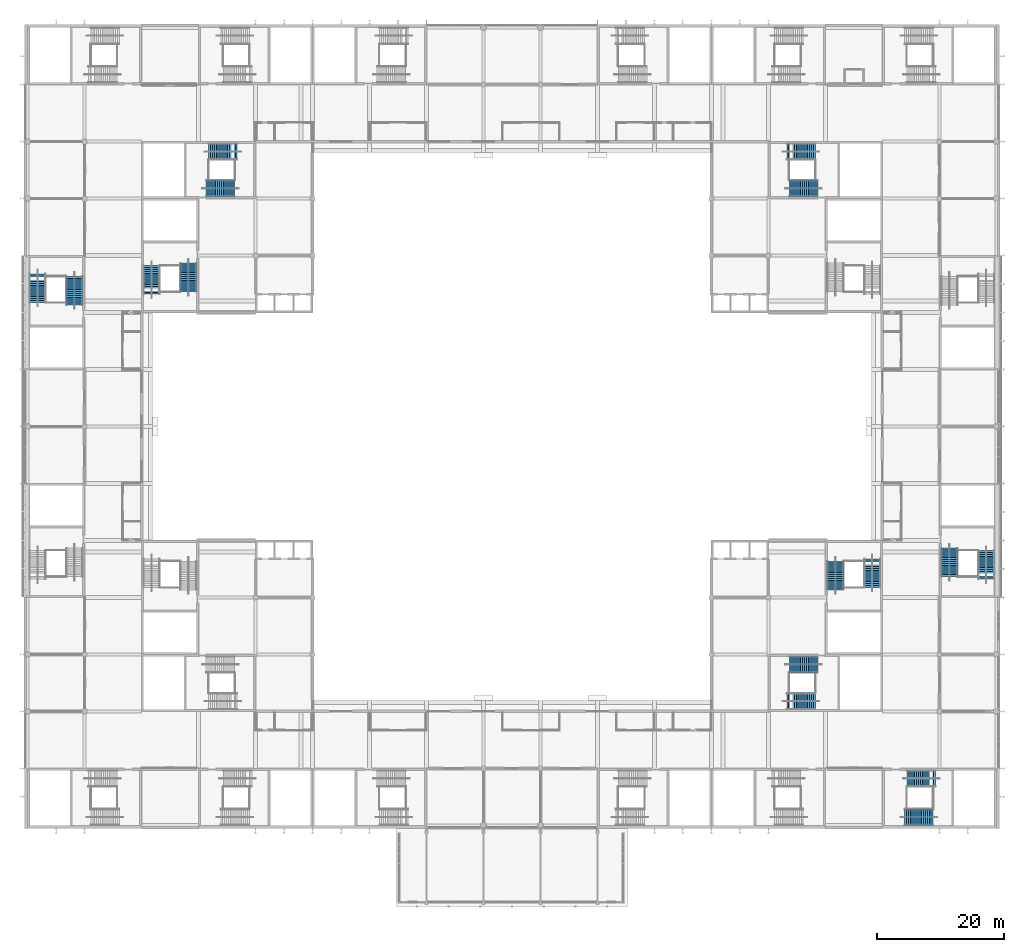
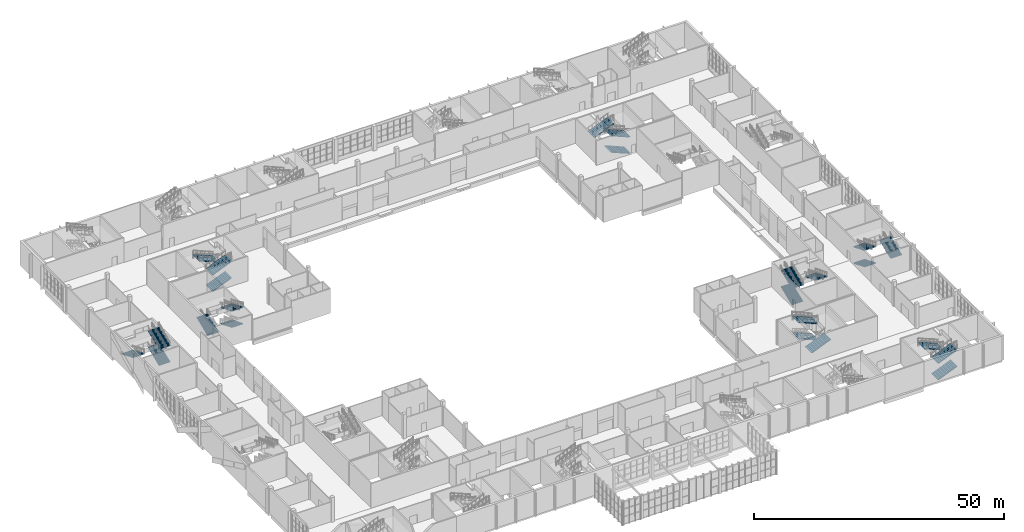
# One storey, part 51 of 89: 24 stair flights, 8 elements without a shape of their own.
"""IFC4 building model written with IfcOpenShell, lengths in metres."""

from ifc_helpers import new_model, si_unit, direction, frame, origin, place, context, subcontext, project, spatial, polyline, outline, extrude, material, type_object, element, aggregate, save


model = new_model("IFC4")

# Units and contexts
model_context = context("Model", 3, precision=1e-05, world=origin(), true_north=direction((0.0, 1.0)))
body_context = subcontext(model_context, "Body", "Model", "MODEL_VIEW")
ifc_project = project(units=[si_unit("LENGTHUNIT", "METRE"), si_unit("AREAUNIT", "SQUARE_METRE"), si_unit("VOLUMEUNIT", "CUBIC_METRE"), si_unit("PLANEANGLEUNIT", "RADIAN"), si_unit("MASSUNIT", "GRAM", prefix="KILO")], contexts=[model_context])

# Site, building, storey
site_placement = place(None, origin())
site = spatial("IfcSite", under=ifc_project, at=site_placement, CompositionType="ELEMENT")
building_placement = place(site_placement, origin())
building = spatial("IfcBuilding", under=site, at=building_placement, Name="Silverbay Arena", CompositionType="ELEMENT")
storey_placement = place(building_placement, frame((0.0, 0.0, 22.0)))
storey = spatial("IfcBuildingStorey", under=building, at=storey_placement, Name="L03", CompositionType="ELEMENT", Elevation=22.0)

# Stair, stair flights
ifc_material_1 = material(Name="Concrete Grade C45", Category="concrete")
stair_type = type_object("IfcStairType", Name="Stair 2600 wide 48 risers 125.0 x 300", PredefinedType="HALF_TURN_STAIR", material=ifc_material_1)
stair_1_placement = place(storey_placement, origin())
stair_1 = element("IfcStair", 1, at=stair_1_placement, inside=storey, type_object=stair_type, Name="Stair ST-S6 L03 to L04", PredefinedType="HALF_TURN_STAIR")
ifc_material_2 = material(Name="Concrete Grade C45", Category="concrete")
stair_flight_type = type_object("IfcStairFlightType", Name="Stair flight 2600 wide 16 risers 125.0 x 300", PredefinedType="STRAIGHT", material=ifc_material_2)
stair_flight_1_placement = place(storey_placement, frame((192.510009765625, 19.300048828125, 0.0), z_axis=(0.0, 0.0, 1.0), x_axis=(1.0, 0.0, 0.0)))
stair_flight_1 = element("IfcStairFlight", 2, at=stair_flight_1_placement, type_object=stair_flight_type, Name="Stair ST-S6 L03 to L04 flight 1", NumberOfRisers=16, NumberOfTreads=15, PredefinedType="STRAIGHT", RiserHeight=0.125, TreadLength=0.3, context=body_context, shape_type="SweptSolid", body=[
    extrude(outline(polyline([(0.0, 0.0), (0.0, 0.125), (0.300048828125, 0.125), (0.300048828125, 0.25), (0.60009765625, 0.25), (0.60009765625, 0.375), (0.89990234375, 0.375), (0.89990234375, 0.5), (1.199951171875, 0.5), (1.199951171875, 0.625), (1.5, 0.625), (1.5, 0.75), (1.800048828125, 0.75), (1.800048828125, 0.875), (2.10009765625, 0.875), (2.10009765625, 1.0), (2.39990234375, 1.0), (2.39990234375, 1.125), (2.699951171875, 1.125), (2.699951171875, 1.25), (3.0, 1.25), (3.0, 1.375), (3.300048828125, 1.375), (3.300048828125, 1.5), (3.60009765625, 1.5), (3.60009765625, 1.625), (3.89990234375, 1.625), (3.89990234375, 1.75), (4.199951171875, 1.75), (4.199951171875, 1.875), (4.5, 1.875), (4.5, 1.712646484375), (0.3896484375, 0.0), (0.0, 0.0)])), frame((0.0, 1.300048828125, 0.0), z_axis=(0.0, -1.0, 0.0), x_axis=(1.0, 0.0, 0.0)), (0.0, 0.0, 1.0), 2.60009765625),
])
stair_flight_2_placement = place(storey_placement, frame((197.39990234375, 25.39990234375, 2.0), z_axis=(0.0, 0.0, 1.0), x_axis=(-1.0, 0.0, 0.0)))
stair_flight_2 = element("IfcStairFlight", 3, at=stair_flight_2_placement, type_object=stair_flight_type, Name="Stair ST-S6 L03 to L04 flight 2", NumberOfRisers=16, NumberOfTreads=15, PredefinedType="STRAIGHT", RiserHeight=0.125, TreadLength=0.3, context=body_context, shape_type="SweptSolid", body=[
    extrude(outline(polyline([(0.0, 0.0), (0.0, 0.125), (0.300048828125, 0.125), (0.300048828125, 0.25), (0.60009765625, 0.25), (0.60009765625, 0.375), (0.89990234375, 0.375), (0.89990234375, 0.5), (1.199951171875, 0.5), (1.199951171875, 0.625), (1.5, 0.625), (1.5, 0.75), (1.800048828125, 0.75), (1.800048828125, 0.875), (2.10009765625, 0.875), (2.10009765625, 1.0), (2.39990234375, 1.0), (2.39990234375, 1.125), (2.699951171875, 1.125), (2.699951171875, 1.25), (3.0, 1.25), (3.0, 1.375), (3.300048828125, 1.375), (3.300048828125, 1.5), (3.60009765625, 1.5), (3.60009765625, 1.625), (3.89990234375, 1.625), (3.89990234375, 1.75), (4.199951171875, 1.75), (4.199951171875, 1.875), (4.5, 1.875), (4.5, 1.712646484375), (0.3896484375, 0.0), (0.0, 0.0)])), frame((0.0, 1.300048828125, 0.0), z_axis=(0.0, -1.0, 0.0), x_axis=(1.0, 0.0, 0.0)), (0.0, 0.0, 1.0), 2.60009765625),
])
stair_flight_3_placement = place(storey_placement, frame((192.510009765625, 19.300048828125, 4.0), z_axis=(0.0, 0.0, 1.0), x_axis=(1.0, 0.0, 0.0)))
stair_flight_3 = element("IfcStairFlight", 4, at=stair_flight_3_placement, type_object=stair_flight_type, Name="Stair ST-S6 L03 to L04 flight 3", NumberOfRisers=16, NumberOfTreads=15, PredefinedType="STRAIGHT", RiserHeight=0.125, TreadLength=0.3, context=body_context, shape_type="SweptSolid", body=[
    extrude(outline(polyline([(0.0, 0.0), (0.0, 0.125), (0.300048828125, 0.125), (0.300048828125, 0.25), (0.60009765625, 0.25), (0.60009765625, 0.375), (0.89990234375, 0.375), (0.89990234375, 0.5), (1.199951171875, 0.5), (1.199951171875, 0.625), (1.5, 0.625), (1.5, 0.75), (1.800048828125, 0.75), (1.800048828125, 0.875), (2.10009765625, 0.875), (2.10009765625, 1.0), (2.39990234375, 1.0), (2.39990234375, 1.125), (2.699951171875, 1.125), (2.699951171875, 1.25), (3.0, 1.25), (3.0, 1.375), (3.300048828125, 1.375), (3.300048828125, 1.5), (3.60009765625, 1.5), (3.60009765625, 1.625), (3.89990234375, 1.625), (3.89990234375, 1.75), (4.199951171875, 1.75), (4.199951171875, 1.875), (4.5, 1.875), (4.5, 1.712646484375), (0.3896484375, 0.0), (0.0, 0.0)])), frame((0.0, 1.300048828125, 0.0), z_axis=(0.0, -1.0, 0.0), x_axis=(1.0, 0.0, 0.0)), (0.0, 0.0, 1.0), 2.60009765625),
])
aggregate(stair_1, [stair_flight_1, stair_flight_2, stair_flight_3])

stair_2_placement = place(storey_placement, origin())
stair_2 = element("IfcStair", 5, at=stair_2_placement, inside=storey, type_object=stair_type, Name="Stair ST-W2 L03 to L04", PredefinedType="HALF_TURN_STAIR")
stair_flight_4_placement = place(storey_placement, frame((61.39990234375, 100.2099609375, 0.0), z_axis=(0.0, 0.0, 1.0), x_axis=(0.0, 1.0, 0.0)))
stair_flight_4 = element("IfcStairFlight", 6, at=stair_flight_4_placement, type_object=stair_flight_type, Name="Stair ST-W2 L03 to L04 flight 1", NumberOfRisers=16, NumberOfTreads=15, PredefinedType="STRAIGHT", RiserHeight=0.125, TreadLength=0.3, context=body_context, shape_type="SweptSolid", body=[
    extrude(outline(polyline([(0.0, 0.0), (0.0, 0.125), (0.300048828125, 0.125), (0.300048828125, 0.25), (0.60009765625, 0.25), (0.60009765625, 0.375), (0.89990234375, 0.375), (0.89990234375, 0.5), (1.199951171875, 0.5), (1.199951171875, 0.625), (1.5, 0.625), (1.5, 0.75), (1.800048828125, 0.75), (1.800048828125, 0.875), (2.10009765625, 0.875), (2.10009765625, 1.0), (2.39990234375, 1.0), (2.39990234375, 1.125), (2.699951171875, 1.125), (2.699951171875, 1.25), (3.0, 1.25), (3.0, 1.375), (3.300048828125, 1.375), (3.300048828125, 1.5), (3.60009765625, 1.5), (3.60009765625, 1.625), (3.89990234375, 1.625), (3.89990234375, 1.75), (4.199951171875, 1.75), (4.199951171875, 1.875), (4.5, 1.875), (4.5, 1.712646484375), (0.3896484375, 0.0), (0.0, 0.0)])), frame((0.0, 1.300048828125, 0.0), z_axis=(0.0, -1.0, 0.0), x_axis=(1.0, 0.0, 0.0)), (0.0, 0.0, 1.0), 2.60009765625),
])
stair_flight_5_placement = place(storey_placement, frame((55.60009765625, 105.10009765625, 2.0), z_axis=(0.0, 0.0, 1.0), x_axis=(0.0, -1.0, 0.0)))
stair_flight_5 = element("IfcStairFlight", 7, at=stair_flight_5_placement, type_object=stair_flight_type, Name="Stair ST-W2 L03 to L04 flight 2", NumberOfRisers=16, NumberOfTreads=15, PredefinedType="STRAIGHT", RiserHeight=0.125, TreadLength=0.3, context=body_context, shape_type="SweptSolid", body=[
    extrude(outline(polyline([(0.0, 0.0), (0.0, 0.125), (0.300048828125, 0.125), (0.300048828125, 0.25), (0.60009765625, 0.25), (0.60009765625, 0.375), (0.89990234375, 0.375), (0.89990234375, 0.5), (1.199951171875, 0.5), (1.199951171875, 0.625), (1.5, 0.625), (1.5, 0.75), (1.800048828125, 0.75), (1.800048828125, 0.875), (2.10009765625, 0.875), (2.10009765625, 1.0), (2.39990234375, 1.0), (2.39990234375, 1.125), (2.699951171875, 1.125), (2.699951171875, 1.25), (3.0, 1.25), (3.0, 1.375), (3.300048828125, 1.375), (3.300048828125, 1.5), (3.60009765625, 1.5), (3.60009765625, 1.625), (3.89990234375, 1.625), (3.89990234375, 1.75), (4.199951171875, 1.75), (4.199951171875, 1.875), (4.5, 1.875), (4.5, 1.712646484375), (0.3896484375, 0.0), (0.0, 0.0)])), frame((0.0, 1.300048828125, 0.0), z_axis=(0.0, -1.0, 0.0), x_axis=(1.0, 0.0, 0.0)), (0.0, 0.0, 1.0), 2.60009765625),
])
stair_flight_6_placement = place(storey_placement, frame((61.39990234375, 100.2099609375, 4.0), z_axis=(0.0, 0.0, 1.0), x_axis=(0.0, 1.0, 0.0)))
stair_flight_6 = element("IfcStairFlight", 8, at=stair_flight_6_placement, type_object=stair_flight_type, Name="Stair ST-W2 L03 to L04 flight 3", NumberOfRisers=16, NumberOfTreads=15, PredefinedType="STRAIGHT", RiserHeight=0.125, TreadLength=0.3, context=body_context, shape_type="SweptSolid", body=[
    extrude(outline(polyline([(0.0, 0.0), (0.0, 0.125), (0.300048828125, 0.125), (0.300048828125, 0.25), (0.60009765625, 0.25), (0.60009765625, 0.375), (0.89990234375, 0.375), (0.89990234375, 0.5), (1.199951171875, 0.5), (1.199951171875, 0.625), (1.5, 0.625), (1.5, 0.75), (1.800048828125, 0.75), (1.800048828125, 0.875), (2.10009765625, 0.875), (2.10009765625, 1.0), (2.39990234375, 1.0), (2.39990234375, 1.125), (2.699951171875, 1.125), (2.699951171875, 1.25), (3.0, 1.25), (3.0, 1.375), (3.300048828125, 1.375), (3.300048828125, 1.5), (3.60009765625, 1.5), (3.60009765625, 1.625), (3.89990234375, 1.625), (3.89990234375, 1.75), (4.199951171875, 1.75), (4.199951171875, 1.875), (4.5, 1.875), (4.5, 1.712646484375), (0.3896484375, 0.0), (0.0, 0.0)])), frame((0.0, 1.300048828125, 0.0), z_axis=(0.0, -1.0, 0.0), x_axis=(1.0, 0.0, 0.0)), (0.0, 0.0, 1.0), 2.60009765625),
])
aggregate(stair_2, [stair_flight_4, stair_flight_5, stair_flight_6])

stair_3_placement = place(storey_placement, origin())
stair_3 = element("IfcStair", 9, at=stair_3_placement, inside=storey, type_object=stair_type, Name="Stair ST-E1 L03 to L04", PredefinedType="HALF_TURN_STAIR")
stair_flight_7_placement = place(storey_placement, frame((199.60009765625, 61.7900390625, 0.0), z_axis=(0.0, 0.0, 1.0), x_axis=(0.0, -1.0, 0.0)))
stair_flight_7 = element("IfcStairFlight", 10, at=stair_flight_7_placement, type_object=stair_flight_type, Name="Stair ST-E1 L03 to L04 flight 1", NumberOfRisers=16, NumberOfTreads=15, PredefinedType="STRAIGHT", RiserHeight=0.125, TreadLength=0.3, context=body_context, shape_type="SweptSolid", body=[
    extrude(outline(polyline([(0.0, 0.0), (0.0, 0.125), (0.300048828125, 0.125), (0.300048828125, 0.25), (0.60009765625, 0.25), (0.60009765625, 0.375), (0.89990234375, 0.375), (0.89990234375, 0.5), (1.199951171875, 0.5), (1.199951171875, 0.625), (1.5, 0.625), (1.5, 0.75), (1.800048828125, 0.75), (1.800048828125, 0.875), (2.10009765625, 0.875), (2.10009765625, 1.0), (2.39990234375, 1.0), (2.39990234375, 1.125), (2.699951171875, 1.125), (2.699951171875, 1.25), (3.0, 1.25), (3.0, 1.375), (3.300048828125, 1.375), (3.300048828125, 1.5), (3.60009765625, 1.5), (3.60009765625, 1.625), (3.89990234375, 1.625), (3.89990234375, 1.75), (4.199951171875, 1.75), (4.199951171875, 1.875), (4.5, 1.875), (4.5, 1.712646484375), (0.3896484375, 0.0), (0.0, 0.0)])), frame((0.0, 1.300048828125, 0.0), z_axis=(0.0, -1.0, 0.0), x_axis=(1.0, 0.0, 0.0)), (0.0, 0.0, 1.0), 2.60009765625),
])
stair_flight_8_placement = place(storey_placement, frame((205.39990234375, 56.89990234375, 2.0), z_axis=(0.0, 0.0, 1.0), x_axis=(0.0, 1.0, 0.0)))
stair_flight_8 = element("IfcStairFlight", 11, at=stair_flight_8_placement, type_object=stair_flight_type, Name="Stair ST-E1 L03 to L04 flight 2", NumberOfRisers=16, NumberOfTreads=15, PredefinedType="STRAIGHT", RiserHeight=0.125, TreadLength=0.3, context=body_context, shape_type="SweptSolid", body=[
    extrude(outline(polyline([(0.0, 0.0), (0.0, 0.125), (0.300048828125, 0.125), (0.300048828125, 0.25), (0.60009765625, 0.25), (0.60009765625, 0.375), (0.89990234375, 0.375), (0.89990234375, 0.5), (1.199951171875, 0.5), (1.199951171875, 0.625), (1.5, 0.625), (1.5, 0.75), (1.800048828125, 0.75), (1.800048828125, 0.875), (2.10009765625, 0.875), (2.10009765625, 1.0), (2.39990234375, 1.0), (2.39990234375, 1.125), (2.699951171875, 1.125), (2.699951171875, 1.25), (3.0, 1.25), (3.0, 1.375), (3.300048828125, 1.375), (3.300048828125, 1.5), (3.60009765625, 1.5), (3.60009765625, 1.625), (3.89990234375, 1.625), (3.89990234375, 1.75), (4.199951171875, 1.75), (4.199951171875, 1.875), (4.5, 1.875), (4.5, 1.712646484375), (0.3896484375, 0.0), (0.0, 0.0)])), frame((0.0, 1.300048828125, 0.0), z_axis=(0.0, -1.0, 0.0), x_axis=(1.0, 0.0, 0.0)), (0.0, 0.0, 1.0), 2.60009765625),
])
stair_flight_9_placement = place(storey_placement, frame((199.60009765625, 61.7900390625, 4.0), z_axis=(0.0, 0.0, 1.0), x_axis=(0.0, -1.0, 0.0)))
stair_flight_9 = element("IfcStairFlight", 12, at=stair_flight_9_placement, type_object=stair_flight_type, Name="Stair ST-E1 L03 to L04 flight 3", NumberOfRisers=16, NumberOfTreads=15, PredefinedType="STRAIGHT", RiserHeight=0.125, TreadLength=0.3, context=body_context, shape_type="SweptSolid", body=[
    extrude(outline(polyline([(0.0, 0.0), (0.0, 0.125), (0.300048828125, 0.125), (0.300048828125, 0.25), (0.60009765625, 0.25), (0.60009765625, 0.375), (0.89990234375, 0.375), (0.89990234375, 0.5), (1.199951171875, 0.5), (1.199951171875, 0.625), (1.5, 0.625), (1.5, 0.75), (1.800048828125, 0.75), (1.800048828125, 0.875), (2.10009765625, 0.875), (2.10009765625, 1.0), (2.39990234375, 1.0), (2.39990234375, 1.125), (2.699951171875, 1.125), (2.699951171875, 1.25), (3.0, 1.25), (3.0, 1.375), (3.300048828125, 1.375), (3.300048828125, 1.5), (3.60009765625, 1.5), (3.60009765625, 1.625), (3.89990234375, 1.625), (3.89990234375, 1.75), (4.199951171875, 1.75), (4.199951171875, 1.875), (4.5, 1.875), (4.5, 1.712646484375), (0.3896484375, 0.0), (0.0, 0.0)])), frame((0.0, 1.300048828125, 0.0), z_axis=(0.0, -1.0, 0.0), x_axis=(1.0, 0.0, 0.0)), (0.0, 0.0, 1.0), 2.60009765625),
])
aggregate(stair_3, [stair_flight_7, stair_flight_8, stair_flight_9])

stair_4_placement = place(storey_placement, origin())
stair_4 = element("IfcStair", 13, at=stair_4_placement, inside=storey, type_object=stair_type, Name="Stair ST-SE1 L03 to L04", PredefinedType="HALF_TURN_STAIR")
stair_flight_10_placement = place(storey_placement, frame((178.7900390625, 43.39990234375, 0.0), z_axis=(0.0, 0.0, 1.0), x_axis=(-1.0, 0.0, 0.0)))
stair_flight_10 = element("IfcStairFlight", 14, at=stair_flight_10_placement, type_object=stair_flight_type, Name="Stair ST-SE1 L03 to L04 flight 1", NumberOfRisers=16, NumberOfTreads=15, PredefinedType="STRAIGHT", RiserHeight=0.125, TreadLength=0.3, context=body_context, shape_type="SweptSolid", body=[
    extrude(outline(polyline([(0.0, 0.0), (0.0, 0.125), (0.300048828125, 0.125), (0.300048828125, 0.25), (0.60009765625, 0.25), (0.60009765625, 0.375), (0.89990234375, 0.375), (0.89990234375, 0.5), (1.199951171875, 0.5), (1.199951171875, 0.625), (1.5, 0.625), (1.5, 0.75), (1.800048828125, 0.75), (1.800048828125, 0.875), (2.10009765625, 0.875), (2.10009765625, 1.0), (2.39990234375, 1.0), (2.39990234375, 1.125), (2.699951171875, 1.125), (2.699951171875, 1.25), (3.0, 1.25), (3.0, 1.375), (3.300048828125, 1.375), (3.300048828125, 1.5), (3.60009765625, 1.5), (3.60009765625, 1.625), (3.89990234375, 1.625), (3.89990234375, 1.75), (4.199951171875, 1.75), (4.199951171875, 1.875), (4.5, 1.875), (4.5, 1.712646484375), (0.3896484375, 0.0), (0.0, 0.0)])), frame((0.0, 1.300048828125, 0.0), z_axis=(0.0, -1.0, 0.0), x_axis=(1.0, 0.0, 0.0)), (0.0, 0.0, 1.0), 2.60009765625),
])
stair_flight_11_placement = place(storey_placement, frame((173.89990234375, 37.60009765625, 2.0), z_axis=(0.0, 0.0, 1.0), x_axis=(1.0, 0.0, 0.0)))
stair_flight_11 = element("IfcStairFlight", 15, at=stair_flight_11_placement, type_object=stair_flight_type, Name="Stair ST-SE1 L03 to L04 flight 2", NumberOfRisers=16, NumberOfTreads=15, PredefinedType="STRAIGHT", RiserHeight=0.125, TreadLength=0.3, context=body_context, shape_type="SweptSolid", body=[
    extrude(outline(polyline([(0.0, 0.0), (0.0, 0.125), (0.300048828125, 0.125), (0.300048828125, 0.25), (0.60009765625, 0.25), (0.60009765625, 0.375), (0.89990234375, 0.375), (0.89990234375, 0.5), (1.199951171875, 0.5), (1.199951171875, 0.625), (1.5, 0.625), (1.5, 0.75), (1.800048828125, 0.75), (1.800048828125, 0.875), (2.10009765625, 0.875), (2.10009765625, 1.0), (2.39990234375, 1.0), (2.39990234375, 1.125), (2.699951171875, 1.125), (2.699951171875, 1.25), (3.0, 1.25), (3.0, 1.375), (3.300048828125, 1.375), (3.300048828125, 1.5), (3.60009765625, 1.5), (3.60009765625, 1.625), (3.89990234375, 1.625), (3.89990234375, 1.75), (4.199951171875, 1.75), (4.199951171875, 1.875), (4.5, 1.875), (4.5, 1.712646484375), (0.3896484375, 0.0), (0.0, 0.0)])), frame((0.0, 1.300048828125, 0.0), z_axis=(0.0, -1.0, 0.0), x_axis=(1.0, 0.0, 0.0)), (0.0, 0.0, 1.0), 2.60009765625),
])
stair_flight_12_placement = place(storey_placement, frame((178.7900390625, 43.39990234375, 4.0), z_axis=(0.0, 0.0, 1.0), x_axis=(-1.0, 0.0, 0.0)))
stair_flight_12 = element("IfcStairFlight", 16, at=stair_flight_12_placement, type_object=stair_flight_type, Name="Stair ST-SE1 L03 to L04 flight 3", NumberOfRisers=16, NumberOfTreads=15, PredefinedType="STRAIGHT", RiserHeight=0.125, TreadLength=0.3, context=body_context, shape_type="SweptSolid", body=[
    extrude(outline(polyline([(0.0, 0.0), (0.0, 0.125), (0.300048828125, 0.125), (0.300048828125, 0.25), (0.60009765625, 0.25), (0.60009765625, 0.375), (0.89990234375, 0.375), (0.89990234375, 0.5), (1.199951171875, 0.5), (1.199951171875, 0.625), (1.5, 0.625), (1.5, 0.75), (1.800048828125, 0.75), (1.800048828125, 0.875), (2.10009765625, 0.875), (2.10009765625, 1.0), (2.39990234375, 1.0), (2.39990234375, 1.125), (2.699951171875, 1.125), (2.699951171875, 1.25), (3.0, 1.25), (3.0, 1.375), (3.300048828125, 1.375), (3.300048828125, 1.5), (3.60009765625, 1.5), (3.60009765625, 1.625), (3.89990234375, 1.625), (3.89990234375, 1.75), (4.199951171875, 1.75), (4.199951171875, 1.875), (4.5, 1.875), (4.5, 1.712646484375), (0.3896484375, 0.0), (0.0, 0.0)])), frame((0.0, 1.300048828125, 0.0), z_axis=(0.0, -1.0, 0.0), x_axis=(1.0, 0.0, 0.0)), (0.0, 0.0, 1.0), 2.60009765625),
])
aggregate(stair_4, [stair_flight_10, stair_flight_11, stair_flight_12])

stair_5_placement = place(storey_placement, origin())
stair_5 = element("IfcStair", 17, at=stair_5_placement, inside=storey, type_object=stair_type, Name="Stair ST-SE2 L03 to L04", PredefinedType="HALF_TURN_STAIR")
stair_flight_13_placement = place(storey_placement, frame((181.60009765625, 55.2099609375, 0.0), z_axis=(0.0, 0.0, 1.0), x_axis=(0.0, 1.0, 0.0)))
stair_flight_13 = element("IfcStairFlight", 18, at=stair_flight_13_placement, type_object=stair_flight_type, Name="Stair ST-SE2 L03 to L04 flight 1", NumberOfRisers=16, NumberOfTreads=15, PredefinedType="STRAIGHT", RiserHeight=0.125, TreadLength=0.3, context=body_context, shape_type="SweptSolid", body=[
    extrude(outline(polyline([(0.0, 0.0), (0.0, 0.125), (0.300048828125, 0.125), (0.300048828125, 0.25), (0.60009765625, 0.25), (0.60009765625, 0.375), (0.89990234375, 0.375), (0.89990234375, 0.5), (1.199951171875, 0.5), (1.199951171875, 0.625), (1.5, 0.625), (1.5, 0.75), (1.800048828125, 0.75), (1.800048828125, 0.875), (2.10009765625, 0.875), (2.10009765625, 1.0), (2.39990234375, 1.0), (2.39990234375, 1.125), (2.699951171875, 1.125), (2.699951171875, 1.25), (3.0, 1.25), (3.0, 1.375), (3.300048828125, 1.375), (3.300048828125, 1.5), (3.60009765625, 1.5), (3.60009765625, 1.625), (3.89990234375, 1.625), (3.89990234375, 1.75), (4.199951171875, 1.75), (4.199951171875, 1.875), (4.5, 1.875), (4.5, 1.712646484375), (0.3896484375, 0.0), (0.0, 0.0)])), frame((0.0, 1.300048828125, 0.0), z_axis=(0.0, -1.0, 0.0), x_axis=(1.0, 0.0, 0.0)), (0.0, 0.0, 1.0), 2.60009765625),
])
stair_flight_14_placement = place(storey_placement, frame((187.39990234375, 60.10009765625, 2.0), z_axis=(0.0, 0.0, 1.0), x_axis=(0.0, -1.0, 0.0)))
stair_flight_14 = element("IfcStairFlight", 19, at=stair_flight_14_placement, type_object=stair_flight_type, Name="Stair ST-SE2 L03 to L04 flight 2", NumberOfRisers=16, NumberOfTreads=15, PredefinedType="STRAIGHT", RiserHeight=0.125, TreadLength=0.3, context=body_context, shape_type="SweptSolid", body=[
    extrude(outline(polyline([(0.0, 0.0), (0.0, 0.125), (0.300048828125, 0.125), (0.300048828125, 0.25), (0.60009765625, 0.25), (0.60009765625, 0.375), (0.89990234375, 0.375), (0.89990234375, 0.5), (1.199951171875, 0.5), (1.199951171875, 0.625), (1.5, 0.625), (1.5, 0.75), (1.800048828125, 0.75), (1.800048828125, 0.875), (2.10009765625, 0.875), (2.10009765625, 1.0), (2.39990234375, 1.0), (2.39990234375, 1.125), (2.699951171875, 1.125), (2.699951171875, 1.25), (3.0, 1.25), (3.0, 1.375), (3.300048828125, 1.375), (3.300048828125, 1.5), (3.60009765625, 1.5), (3.60009765625, 1.625), (3.89990234375, 1.625), (3.89990234375, 1.75), (4.199951171875, 1.75), (4.199951171875, 1.875), (4.5, 1.875), (4.5, 1.712646484375), (0.3896484375, 0.0), (0.0, 0.0)])), frame((0.0, 1.300048828125, 0.0), z_axis=(0.0, -1.0, 0.0), x_axis=(1.0, 0.0, 0.0)), (0.0, 0.0, 1.0), 2.60009765625),
])
stair_flight_15_placement = place(storey_placement, frame((181.60009765625, 55.2099609375, 4.0), z_axis=(0.0, 0.0, 1.0), x_axis=(0.0, 1.0, 0.0)))
stair_flight_15 = element("IfcStairFlight", 20, at=stair_flight_15_placement, type_object=stair_flight_type, Name="Stair ST-SE2 L03 to L04 flight 3", NumberOfRisers=16, NumberOfTreads=15, PredefinedType="STRAIGHT", RiserHeight=0.125, TreadLength=0.3, context=body_context, shape_type="SweptSolid", body=[
    extrude(outline(polyline([(0.0, 0.0), (0.0, 0.125), (0.300048828125, 0.125), (0.300048828125, 0.25), (0.60009765625, 0.25), (0.60009765625, 0.375), (0.89990234375, 0.375), (0.89990234375, 0.5), (1.199951171875, 0.5), (1.199951171875, 0.625), (1.5, 0.625), (1.5, 0.75), (1.800048828125, 0.75), (1.800048828125, 0.875), (2.10009765625, 0.875), (2.10009765625, 1.0), (2.39990234375, 1.0), (2.39990234375, 1.125), (2.699951171875, 1.125), (2.699951171875, 1.25), (3.0, 1.25), (3.0, 1.375), (3.300048828125, 1.375), (3.300048828125, 1.5), (3.60009765625, 1.5), (3.60009765625, 1.625), (3.89990234375, 1.625), (3.89990234375, 1.75), (4.199951171875, 1.75), (4.199951171875, 1.875), (4.5, 1.875), (4.5, 1.712646484375), (0.3896484375, 0.0), (0.0, 0.0)])), frame((0.0, 1.300048828125, 0.0), z_axis=(0.0, -1.0, 0.0), x_axis=(1.0, 0.0, 0.0)), (0.0, 0.0, 1.0), 2.60009765625),
])
aggregate(stair_5, [stair_flight_13, stair_flight_14, stair_flight_15])

stair_6_placement = place(storey_placement, origin())
stair_6 = element("IfcStair", 21, at=stair_6_placement, inside=storey, type_object=stair_type, Name="Stair ST-NW1 L03 to L04", PredefinedType="HALF_TURN_STAIR")
stair_flight_16_placement = place(storey_placement, frame((82.2099609375, 118.60009765625, 0.0), z_axis=(0.0, 0.0, 1.0), x_axis=(1.0, 0.0, 0.0)))
stair_flight_16 = element("IfcStairFlight", 22, at=stair_flight_16_placement, type_object=stair_flight_type, Name="Stair ST-NW1 L03 to L04 flight 1", NumberOfRisers=16, NumberOfTreads=15, PredefinedType="STRAIGHT", RiserHeight=0.125, TreadLength=0.3, context=body_context, shape_type="SweptSolid", body=[
    extrude(outline(polyline([(0.0, 0.0), (0.0, 0.125), (0.300048828125, 0.125), (0.300048828125, 0.25), (0.60009765625, 0.25), (0.60009765625, 0.375), (0.89990234375, 0.375), (0.89990234375, 0.5), (1.199951171875, 0.5), (1.199951171875, 0.625), (1.5, 0.625), (1.5, 0.75), (1.800048828125, 0.75), (1.800048828125, 0.875), (2.10009765625, 0.875), (2.10009765625, 1.0), (2.39990234375, 1.0), (2.39990234375, 1.125), (2.699951171875, 1.125), (2.699951171875, 1.25), (3.0, 1.25), (3.0, 1.375), (3.300048828125, 1.375), (3.300048828125, 1.5), (3.60009765625, 1.5), (3.60009765625, 1.625), (3.89990234375, 1.625), (3.89990234375, 1.75), (4.199951171875, 1.75), (4.199951171875, 1.875), (4.5, 1.875), (4.5, 1.712646484375), (0.3896484375, 0.0), (0.0, 0.0)])), frame((0.0, 1.300048828125, 0.0), z_axis=(0.0, -1.0, 0.0), x_axis=(1.0, 0.0, 0.0)), (0.0, 0.0, 1.0), 2.60009765625),
])
stair_flight_17_placement = place(storey_placement, frame((87.10009765625, 124.39990234375, 2.0), z_axis=(0.0, 0.0, 1.0), x_axis=(-1.0, 0.0, 0.0)))
stair_flight_17 = element("IfcStairFlight", 23, at=stair_flight_17_placement, type_object=stair_flight_type, Name="Stair ST-NW1 L03 to L04 flight 2", NumberOfRisers=16, NumberOfTreads=15, PredefinedType="STRAIGHT", RiserHeight=0.125, TreadLength=0.3, context=body_context, shape_type="SweptSolid", body=[
    extrude(outline(polyline([(0.0, 0.0), (0.0, 0.125), (0.300048828125, 0.125), (0.300048828125, 0.25), (0.60009765625, 0.25), (0.60009765625, 0.375), (0.89990234375, 0.375), (0.89990234375, 0.5), (1.199951171875, 0.5), (1.199951171875, 0.625), (1.5, 0.625), (1.5, 0.75), (1.800048828125, 0.75), (1.800048828125, 0.875), (2.10009765625, 0.875), (2.10009765625, 1.0), (2.39990234375, 1.0), (2.39990234375, 1.125), (2.699951171875, 1.125), (2.699951171875, 1.25), (3.0, 1.25), (3.0, 1.375), (3.300048828125, 1.375), (3.300048828125, 1.5), (3.60009765625, 1.5), (3.60009765625, 1.625), (3.89990234375, 1.625), (3.89990234375, 1.75), (4.199951171875, 1.75), (4.199951171875, 1.875), (4.5, 1.875), (4.5, 1.712646484375), (0.3896484375, 0.0), (0.0, 0.0)])), frame((0.0, 1.300048828125, 0.0), z_axis=(0.0, -1.0, 0.0), x_axis=(1.0, 0.0, 0.0)), (0.0, 0.0, 1.0), 2.60009765625),
])
stair_flight_18_placement = place(storey_placement, frame((82.2099609375, 118.60009765625, 4.0), z_axis=(0.0, 0.0, 1.0), x_axis=(1.0, 0.0, 0.0)))
stair_flight_18 = element("IfcStairFlight", 24, at=stair_flight_18_placement, type_object=stair_flight_type, Name="Stair ST-NW1 L03 to L04 flight 3", NumberOfRisers=16, NumberOfTreads=15, PredefinedType="STRAIGHT", RiserHeight=0.125, TreadLength=0.3, context=body_context, shape_type="SweptSolid", body=[
    extrude(outline(polyline([(0.0, 0.0), (0.0, 0.125), (0.300048828125, 0.125), (0.300048828125, 0.25), (0.60009765625, 0.25), (0.60009765625, 0.375), (0.89990234375, 0.375), (0.89990234375, 0.5), (1.199951171875, 0.5), (1.199951171875, 0.625), (1.5, 0.625), (1.5, 0.75), (1.800048828125, 0.75), (1.800048828125, 0.875), (2.10009765625, 0.875), (2.10009765625, 1.0), (2.39990234375, 1.0), (2.39990234375, 1.125), (2.699951171875, 1.125), (2.699951171875, 1.25), (3.0, 1.25), (3.0, 1.375), (3.300048828125, 1.375), (3.300048828125, 1.5), (3.60009765625, 1.5), (3.60009765625, 1.625), (3.89990234375, 1.625), (3.89990234375, 1.75), (4.199951171875, 1.75), (4.199951171875, 1.875), (4.5, 1.875), (4.5, 1.712646484375), (0.3896484375, 0.0), (0.0, 0.0)])), frame((0.0, 1.300048828125, 0.0), z_axis=(0.0, -1.0, 0.0), x_axis=(1.0, 0.0, 0.0)), (0.0, 0.0, 1.0), 2.60009765625),
])
aggregate(stair_6, [stair_flight_16, stair_flight_17, stair_flight_18])

stair_7_placement = place(storey_placement, origin())
stair_7 = element("IfcStair", 25, at=stair_7_placement, inside=storey, type_object=stair_type, Name="Stair ST-NW2 L03 to L04", PredefinedType="HALF_TURN_STAIR")
stair_flight_19_placement = place(storey_placement, frame((79.39990234375, 106.7900390625, 0.0), z_axis=(0.0, 0.0, 1.0), x_axis=(0.0, -1.0, 0.0)))
stair_flight_19 = element("IfcStairFlight", 26, at=stair_flight_19_placement, type_object=stair_flight_type, Name="Stair ST-NW2 L03 to L04 flight 1", NumberOfRisers=16, NumberOfTreads=15, PredefinedType="STRAIGHT", RiserHeight=0.125, TreadLength=0.3, context=body_context, shape_type="SweptSolid", body=[
    extrude(outline(polyline([(0.0, 0.0), (0.0, 0.125), (0.300048828125, 0.125), (0.300048828125, 0.25), (0.60009765625, 0.25), (0.60009765625, 0.375), (0.89990234375, 0.375), (0.89990234375, 0.5), (1.199951171875, 0.5), (1.199951171875, 0.625), (1.5, 0.625), (1.5, 0.75), (1.800048828125, 0.75), (1.800048828125, 0.875), (2.10009765625, 0.875), (2.10009765625, 1.0), (2.39990234375, 1.0), (2.39990234375, 1.125), (2.699951171875, 1.125), (2.699951171875, 1.25), (3.0, 1.25), (3.0, 1.375), (3.300048828125, 1.375), (3.300048828125, 1.5), (3.60009765625, 1.5), (3.60009765625, 1.625), (3.89990234375, 1.625), (3.89990234375, 1.75), (4.199951171875, 1.75), (4.199951171875, 1.875), (4.5, 1.875), (4.5, 1.712646484375), (0.3896484375, 0.0), (0.0, 0.0)])), frame((0.0, 1.300048828125, 0.0), z_axis=(0.0, -1.0, 0.0), x_axis=(1.0, 0.0, 0.0)), (0.0, 0.0, 1.0), 2.60009765625),
])
stair_flight_20_placement = place(storey_placement, frame((73.60009765625, 101.89990234375, 2.0), z_axis=(0.0, 0.0, 1.0), x_axis=(0.0, 1.0, 0.0)))
stair_flight_20 = element("IfcStairFlight", 27, at=stair_flight_20_placement, type_object=stair_flight_type, Name="Stair ST-NW2 L03 to L04 flight 2", NumberOfRisers=16, NumberOfTreads=15, PredefinedType="STRAIGHT", RiserHeight=0.125, TreadLength=0.3, context=body_context, shape_type="SweptSolid", body=[
    extrude(outline(polyline([(0.0, 0.0), (0.0, 0.125), (0.300048828125, 0.125), (0.300048828125, 0.25), (0.60009765625, 0.25), (0.60009765625, 0.375), (0.89990234375, 0.375), (0.89990234375, 0.5), (1.199951171875, 0.5), (1.199951171875, 0.625), (1.5, 0.625), (1.5, 0.75), (1.800048828125, 0.75), (1.800048828125, 0.875), (2.10009765625, 0.875), (2.10009765625, 1.0), (2.39990234375, 1.0), (2.39990234375, 1.125), (2.699951171875, 1.125), (2.699951171875, 1.25), (3.0, 1.25), (3.0, 1.375), (3.300048828125, 1.375), (3.300048828125, 1.5), (3.60009765625, 1.5), (3.60009765625, 1.625), (3.89990234375, 1.625), (3.89990234375, 1.75), (4.199951171875, 1.75), (4.199951171875, 1.875), (4.5, 1.875), (4.5, 1.712646484375), (0.3896484375, 0.0), (0.0, 0.0)])), frame((0.0, 1.300048828125, 0.0), z_axis=(0.0, -1.0, 0.0), x_axis=(1.0, 0.0, 0.0)), (0.0, 0.0, 1.0), 2.60009765625),
])
stair_flight_21_placement = place(storey_placement, frame((79.39990234375, 106.7900390625, 4.0), z_axis=(0.0, 0.0, 1.0), x_axis=(0.0, -1.0, 0.0)))
stair_flight_21 = element("IfcStairFlight", 28, at=stair_flight_21_placement, type_object=stair_flight_type, Name="Stair ST-NW2 L03 to L04 flight 3", NumberOfRisers=16, NumberOfTreads=15, PredefinedType="STRAIGHT", RiserHeight=0.125, TreadLength=0.3, context=body_context, shape_type="SweptSolid", body=[
    extrude(outline(polyline([(0.0, 0.0), (0.0, 0.125), (0.300048828125, 0.125), (0.300048828125, 0.25), (0.60009765625, 0.25), (0.60009765625, 0.375), (0.89990234375, 0.375), (0.89990234375, 0.5), (1.199951171875, 0.5), (1.199951171875, 0.625), (1.5, 0.625), (1.5, 0.75), (1.800048828125, 0.75), (1.800048828125, 0.875), (2.10009765625, 0.875), (2.10009765625, 1.0), (2.39990234375, 1.0), (2.39990234375, 1.125), (2.699951171875, 1.125), (2.699951171875, 1.25), (3.0, 1.25), (3.0, 1.375), (3.300048828125, 1.375), (3.300048828125, 1.5), (3.60009765625, 1.5), (3.60009765625, 1.625), (3.89990234375, 1.625), (3.89990234375, 1.75), (4.199951171875, 1.75), (4.199951171875, 1.875), (4.5, 1.875), (4.5, 1.712646484375), (0.3896484375, 0.0), (0.0, 0.0)])), frame((0.0, 1.300048828125, 0.0), z_axis=(0.0, -1.0, 0.0), x_axis=(1.0, 0.0, 0.0)), (0.0, 0.0, 1.0), 2.60009765625),
])
aggregate(stair_7, [stair_flight_19, stair_flight_20, stair_flight_21])

stair_8_placement = place(storey_placement, origin())
stair_8 = element("IfcStair", 29, at=stair_8_placement, inside=storey, type_object=stair_type, Name="Stair ST-NE1 L03 to L04", PredefinedType="HALF_TURN_STAIR")
stair_flight_22_placement = place(storey_placement, frame((178.7900390625, 118.60009765625, 0.0), z_axis=(0.0, 0.0, 1.0), x_axis=(-1.0, 0.0, 0.0)))
stair_flight_22 = element("IfcStairFlight", 30, at=stair_flight_22_placement, type_object=stair_flight_type, Name="Stair ST-NE1 L03 to L04 flight 1", NumberOfRisers=16, NumberOfTreads=15, PredefinedType="STRAIGHT", RiserHeight=0.125, TreadLength=0.3, context=body_context, shape_type="SweptSolid", body=[
    extrude(outline(polyline([(0.0, 0.0), (0.0, 0.125), (0.300048828125, 0.125), (0.300048828125, 0.25), (0.60009765625, 0.25), (0.60009765625, 0.375), (0.89990234375, 0.375), (0.89990234375, 0.5), (1.199951171875, 0.5), (1.199951171875, 0.625), (1.5, 0.625), (1.5, 0.75), (1.800048828125, 0.75), (1.800048828125, 0.875), (2.10009765625, 0.875), (2.10009765625, 1.0), (2.39990234375, 1.0), (2.39990234375, 1.125), (2.699951171875, 1.125), (2.699951171875, 1.25), (3.0, 1.25), (3.0, 1.375), (3.300048828125, 1.375), (3.300048828125, 1.5), (3.60009765625, 1.5), (3.60009765625, 1.625), (3.89990234375, 1.625), (3.89990234375, 1.75), (4.199951171875, 1.75), (4.199951171875, 1.875), (4.5, 1.875), (4.5, 1.712646484375), (0.3896484375, 0.0), (0.0, 0.0)])), frame((0.0, 1.300048828125, 0.0), z_axis=(0.0, -1.0, 0.0), x_axis=(1.0, 0.0, 0.0)), (0.0, 0.0, 1.0), 2.60009765625),
])
stair_flight_23_placement = place(storey_placement, frame((173.89990234375, 124.39990234375, 2.0), z_axis=(0.0, 0.0, 1.0), x_axis=(1.0, 0.0, 0.0)))
stair_flight_23 = element("IfcStairFlight", 31, at=stair_flight_23_placement, type_object=stair_flight_type, Name="Stair ST-NE1 L03 to L04 flight 2", NumberOfRisers=16, NumberOfTreads=15, PredefinedType="STRAIGHT", RiserHeight=0.125, TreadLength=0.3, context=body_context, shape_type="SweptSolid", body=[
    extrude(outline(polyline([(0.0, 0.0), (0.0, 0.125), (0.300048828125, 0.125), (0.300048828125, 0.25), (0.60009765625, 0.25), (0.60009765625, 0.375), (0.89990234375, 0.375), (0.89990234375, 0.5), (1.199951171875, 0.5), (1.199951171875, 0.625), (1.5, 0.625), (1.5, 0.75), (1.800048828125, 0.75), (1.800048828125, 0.875), (2.10009765625, 0.875), (2.10009765625, 1.0), (2.39990234375, 1.0), (2.39990234375, 1.125), (2.699951171875, 1.125), (2.699951171875, 1.25), (3.0, 1.25), (3.0, 1.375), (3.300048828125, 1.375), (3.300048828125, 1.5), (3.60009765625, 1.5), (3.60009765625, 1.625), (3.89990234375, 1.625), (3.89990234375, 1.75), (4.199951171875, 1.75), (4.199951171875, 1.875), (4.5, 1.875), (4.5, 1.712646484375), (0.3896484375, 0.0), (0.0, 0.0)])), frame((0.0, 1.300048828125, 0.0), z_axis=(0.0, -1.0, 0.0), x_axis=(1.0, 0.0, 0.0)), (0.0, 0.0, 1.0), 2.60009765625),
])
stair_flight_24_placement = place(storey_placement, frame((178.7900390625, 118.60009765625, 4.0), z_axis=(0.0, 0.0, 1.0), x_axis=(-1.0, 0.0, 0.0)))
stair_flight_24 = element("IfcStairFlight", 32, at=stair_flight_24_placement, type_object=stair_flight_type, Name="Stair ST-NE1 L03 to L04 flight 3", NumberOfRisers=16, NumberOfTreads=15, PredefinedType="STRAIGHT", RiserHeight=0.125, TreadLength=0.3, context=body_context, shape_type="SweptSolid", body=[
    extrude(outline(polyline([(0.0, 0.0), (0.0, 0.125), (0.300048828125, 0.125), (0.300048828125, 0.25), (0.60009765625, 0.25), (0.60009765625, 0.375), (0.89990234375, 0.375), (0.89990234375, 0.5), (1.199951171875, 0.5), (1.199951171875, 0.625), (1.5, 0.625), (1.5, 0.75), (1.800048828125, 0.75), (1.800048828125, 0.875), (2.10009765625, 0.875), (2.10009765625, 1.0), (2.39990234375, 1.0), (2.39990234375, 1.125), (2.699951171875, 1.125), (2.699951171875, 1.25), (3.0, 1.25), (3.0, 1.375), (3.300048828125, 1.375), (3.300048828125, 1.5), (3.60009765625, 1.5), (3.60009765625, 1.625), (3.89990234375, 1.625), (3.89990234375, 1.75), (4.199951171875, 1.75), (4.199951171875, 1.875), (4.5, 1.875), (4.5, 1.712646484375), (0.3896484375, 0.0), (0.0, 0.0)])), frame((0.0, 1.300048828125, 0.0), z_axis=(0.0, -1.0, 0.0), x_axis=(1.0, 0.0, 0.0)), (0.0, 0.0, 1.0), 2.60009765625),
])
aggregate(stair_8, [stair_flight_22, stair_flight_23, stair_flight_24])

save(model, "model.ifc")
